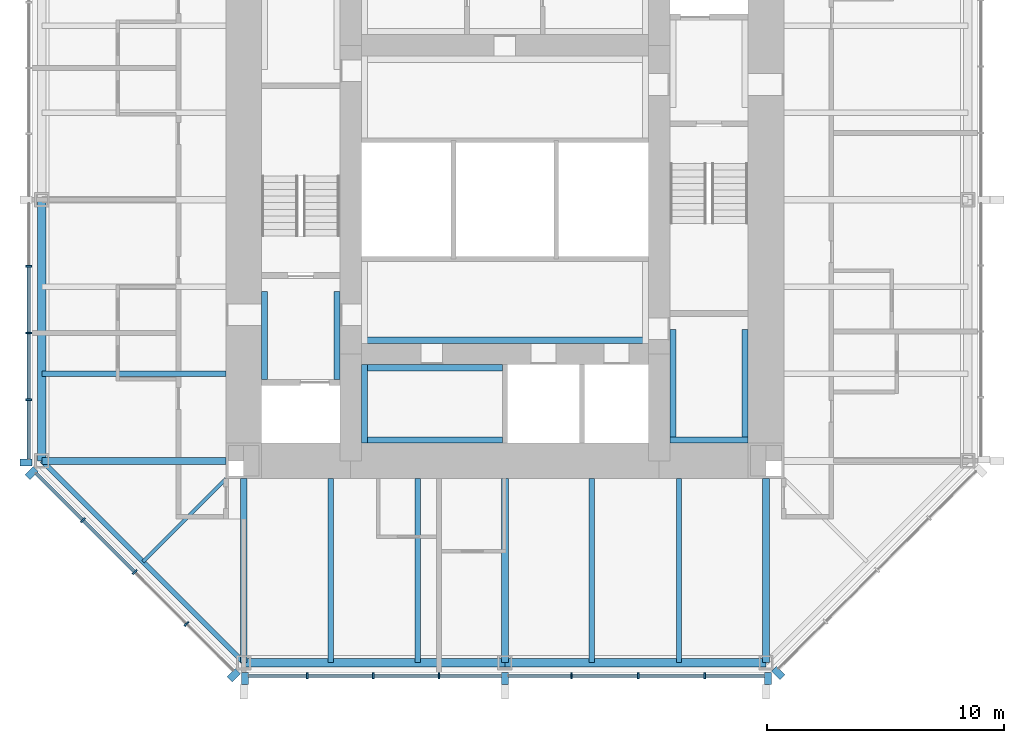
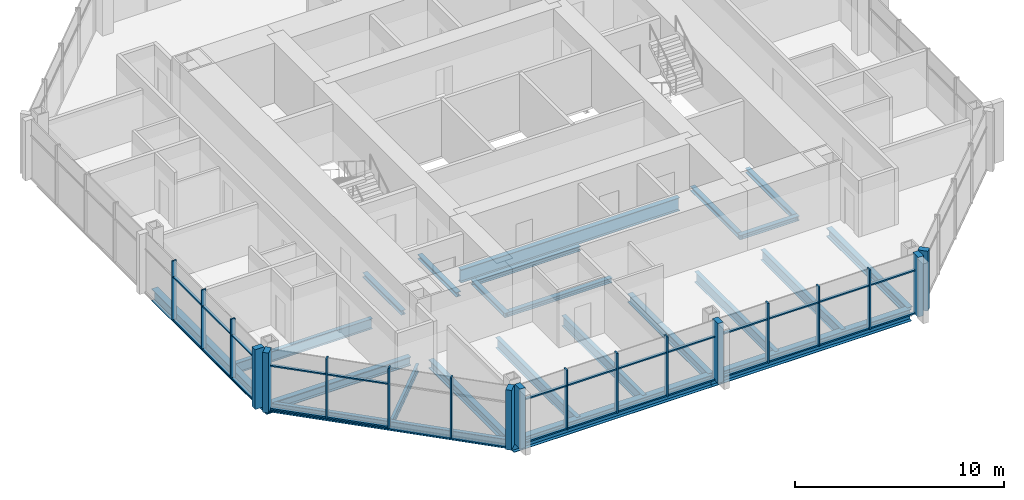
# One storey, part 2 of 11: 45 members, 23 beams, 4 elements without a shape of their own.
"""IFC4 building model written with IfcOpenShell, lengths in metres."""

from ifc_helpers import new_model, si_unit, direction, frame, origin, origin_2d, place, context, subcontext, project, spatial, rectangle, i_section, extrude, material, material_profile, profile_set, type_object, element, aggregate, save


model = new_model("IFC4")

# Units and contexts
model_context = context("Model", 3, precision=1e-05, world=origin(), true_north=direction((0.0, 1.0)))
body_context = subcontext(model_context, "Body", "Model", "MODEL_VIEW")
ifc_project = project(units=[si_unit("LENGTHUNIT", "METRE"), si_unit("AREAUNIT", "SQUARE_METRE"), si_unit("VOLUMEUNIT", "CUBIC_METRE"), si_unit("PLANEANGLEUNIT", "RADIAN"), si_unit("MASSUNIT", "GRAM", prefix="KILO")], contexts=[model_context])

# Site, building, storey
site_placement = place(None, origin())
site = spatial("IfcSite", under=ifc_project, at=site_placement, CompositionType="ELEMENT")
building_placement = place(site_placement, origin())
building = spatial("IfcBuilding", under=site, at=building_placement, Name="Trevanion Tower", CompositionType="ELEMENT")
storey_placement = place(building_placement, frame((0.0, 0.0, 229.199951171875)))
storey = spatial("IfcBuildingStorey", under=building, at=storey_placement, Name="L55", CompositionType="ELEMENT", Elevation=229.199951171875)

# Beams
ifc_material_1 = material(Name="Steel ASTM A992 Grade 50", Category="steel")
ifc_material_profile_1 = material_profile(ifc_material_1, i_section(OverallWidth=0.228271484375, OverallDepth=0.607177734375, WebThickness=0.01123046875, FlangeThickness=0.017333984375, at=origin_2d()), Name="W24X76")
ifc_profile_set_1 = profile_set([ifc_material_profile_1], Name="Steel ASTM A992 Grade 50")
beam_type_1 = type_object("IfcBeamType", Name="B11 W24X76", PredefinedType="BEAM", material=ifc_profile_set_1)
for number, where, z_axis, x_axis, name in (
    (1, (-11.75, -7.333251953125, -0.493408203125), (-1.0, 0.0, 0.0), (0.0, -1.0, 0.0), "B11 L55"),
    (2, (-7.333251953125, -11.75, -0.493408203125), (0.0, -1.0, 0.0), (1.0, 0.0, 0.0), "B11 L55"),
    (3, (-3.666748046875, -11.75, -0.493408203125), (0.0, -1.0, 0.0), (1.0, 0.0, 0.0), "B11 L55"),
    (4, (3.666748046875, -11.75, -0.493408203125), (0.0, -1.0, 0.0), (1.0, 0.0, 0.0), "B11 L55"),
    (5, (7.333251953125, -11.75, -0.493408203125), (0.0, -1.0, 0.0), (1.0, 0.0, 0.0), "B11 L55"),
):
    element("IfcBeam", number, at=place(storey_placement, frame(where, z_axis=z_axis, x_axis=x_axis)), inside=storey, type_object=beam_type_1, Name=name, PredefinedType="BEAM", context=body_context, shape_type="SweptSolid", body=[
        extrude(i_section(OverallWidth=0.228271484375, OverallDepth=0.607177734375, WebThickness=0.01123046875, FlangeThickness=0.017333984375, at=origin_2d()), origin(), (0.0, 0.0, 1.0), 7.75),
    ])
ifc_material_2 = material(Name="Steel ASTM A992 Grade 50", Category="steel")
ifc_material_profile_2 = material_profile(ifc_material_2, i_section(OverallWidth=0.15234375, OverallDepth=0.449462890625, WebThickness=0.007568359375, FlangeThickness=0.0107421875, at=origin_2d()), Name="W18X35")
ifc_profile_set_2 = profile_set([ifc_material_profile_2], Name="Steel ASTM A992 Grade 50")
beam_type_2 = type_object("IfcBeamType", Name="B12 W18X35", PredefinedType="BEAM", material=ifc_profile_set_2)
beam_1_placement = place(storey_placement, frame((-11.75, -11.75, -0.414794921875), z_axis=(-0.707106781187, -0.707106781187, 0.0), x_axis=(0.707106781187, -0.707106781187, 0.0)))
element("IfcBeam", 6, at=beam_1_placement, inside=storey, type_object=beam_type_2, Name="B12 L55", PredefinedType="BEAM", context=body_context, shape_type="SweptSolid", body=[
    extrude(i_section(OverallWidth=0.15234375, OverallDepth=0.449462890625, WebThickness=0.007568359375, FlangeThickness=0.0107421875, at=origin_2d()), origin(), (0.0, 0.0, 1.0), 4.94970703125),
])

# Curtain wall, members
ifc_material_3 = material(Name="Aluminium and glass", Category="aluminium")
curtain_wall_type = type_object("IfcCurtainWallType", Name="CW3 curtain wall", PredefinedType="USERDEFINED", material=ifc_material_3)
curtain_wall_1_placement = place(storey_placement, origin())
curtain_wall_1 = element("IfcCurtainWall", 7, at=curtain_wall_1_placement, inside=storey, type_object=curtain_wall_type, Name="CW3 L55 4", ObjectType="UNITISED CURTAIN WALL", PredefinedType="USERDEFINED")
ifc_material_4 = material(Name="Aluminium extrusion, anodised bronze", Category="aluminium")
ifc_material_profile_3 = material_profile(ifc_material_4, rectangle(XDim=0.074951171875, YDim=0.25, at=origin_2d()), Name="CW3 mullion")
ifc_profile_set_3 = profile_set([ifc_material_profile_3], Name="Aluminium extrusion, anodised bronze")
member_type_1 = type_object("IfcMemberType", Name="CW3 mullion", PredefinedType="MULLION", material=ifc_profile_set_3)
member_1_placement = place(storey_placement, frame((-20.050048828125, -2.806884765625, -0.18994140625), z_axis=(0.0, 0.0, 1.0), x_axis=(0.0, -1.0, 0.0)))
member_1 = element("IfcMember", 8, at=member_1_placement, type_object=member_type_1, Name="CW3 mullion 6", PredefinedType="MULLION", context=body_context, shape_type="SweptSolid", body=[
    extrude(rectangle(XDim=0.074951171875, YDim=0.25, at=origin_2d()), origin(), (0.0, 0.0, 1.0), 3.5),
])
member_2_placement = place(storey_placement, frame((-20.050048828125, -5.614013671875, -0.18994140625), z_axis=(0.0, 0.0, 1.0), x_axis=(0.0, -1.0, 0.0)))
member_2 = element("IfcMember", 9, at=member_2_placement, type_object=member_type_1, Name="CW3 mullion 7", PredefinedType="MULLION", context=body_context, shape_type="SweptSolid", body=[
    extrude(rectangle(XDim=0.074951171875, YDim=0.25, at=origin_2d()), origin(), (0.0, 0.0, 1.0), 3.5),
])
member_3_placement = place(storey_placement, frame((-20.050048828125, -8.4208984375, -0.18994140625), z_axis=(0.0, 0.0, 1.0), x_axis=(0.0, -1.0, 0.0)))
member_3 = element("IfcMember", 10, at=member_3_placement, type_object=member_type_1, Name="CW3 mullion 8", PredefinedType="MULLION", context=body_context, shape_type="SweptSolid", body=[
    extrude(rectangle(XDim=0.074951171875, YDim=0.25, at=origin_2d()), origin(), (0.0, 0.0, 1.0), 3.5),
])

curtain_wall_2_placement = place(storey_placement, origin())
curtain_wall_2 = element("IfcCurtainWall", 11, at=curtain_wall_2_placement, inside=storey, type_object=curtain_wall_type, Name="CW3 L55 5", ObjectType="UNITISED CURTAIN WALL", PredefinedType="USERDEFINED")
member_4_placement = place(storey_placement, frame((-17.775390625, -13.502197265625, -0.18994140625), z_axis=(0.0, 0.0, 1.0), x_axis=(0.707106781187, -0.707106781187, 0.0)))
member_4 = element("IfcMember", 12, at=member_4_placement, type_object=member_type_1, Name="CW3 mullion 2", PredefinedType="MULLION", context=body_context, shape_type="SweptSolid", body=[
    extrude(rectangle(XDim=0.074951171875, YDim=0.25, at=origin_2d()), origin(), (0.0, 0.0, 1.0), 3.5),
])
member_5_placement = place(storey_placement, frame((-15.593017578125, -15.684814453125, -0.18994140625), z_axis=(0.0, 0.0, 1.0), x_axis=(0.707106781187, -0.707106781187, 0.0)))
member_5 = element("IfcMember", 13, at=member_5_placement, type_object=member_type_1, Name="CW3 mullion 3", PredefinedType="MULLION", context=body_context, shape_type="SweptSolid", body=[
    extrude(rectangle(XDim=0.074951171875, YDim=0.25, at=origin_2d()), origin(), (0.0, 0.0, 1.0), 3.5),
])
member_6_placement = place(storey_placement, frame((-13.410400390625, -17.867431640625, -0.18994140625), z_axis=(0.0, 0.0, 1.0), x_axis=(0.707106781187, -0.707106781187, 0.0)))
member_6 = element("IfcMember", 14, at=member_6_placement, type_object=member_type_1, Name="CW3 mullion 4", PredefinedType="MULLION", context=body_context, shape_type="SweptSolid", body=[
    extrude(rectangle(XDim=0.074951171875, YDim=0.25, at=origin_2d()), origin(), (0.0, 0.0, 1.0), 3.5),
])

curtain_wall_3_placement = place(storey_placement, origin())
curtain_wall_3 = element("IfcCurtainWall", 15, at=curtain_wall_3_placement, inside=storey, type_object=curtain_wall_type, Name="CW3 L55 6", ObjectType="UNITISED CURTAIN WALL", PredefinedType="USERDEFINED")
member_7_placement = place(storey_placement, frame((-8.323486328125, -20.050048828125, -0.18994140625), z_axis=(0.0, 0.0, 1.0), x_axis=(1.0, 0.0, 0.0)))
member_7 = element("IfcMember", 16, at=member_7_placement, type_object=member_type_1, Name="CW3 mullion 2", PredefinedType="MULLION", context=body_context, shape_type="SweptSolid", body=[
    extrude(rectangle(XDim=0.074951171875, YDim=0.25, at=origin_2d()), origin(), (0.0, 0.0, 1.0), 3.5),
])
member_8_placement = place(storey_placement, frame((-5.548828125, -20.050048828125, -0.18994140625), z_axis=(0.0, 0.0, 1.0), x_axis=(1.0, 0.0, 0.0)))
member_8 = element("IfcMember", 17, at=member_8_placement, type_object=member_type_1, Name="CW3 mullion 3", PredefinedType="MULLION", context=body_context, shape_type="SweptSolid", body=[
    extrude(rectangle(XDim=0.074951171875, YDim=0.25, at=origin_2d()), origin(), (0.0, 0.0, 1.0), 3.5),
])
member_9_placement = place(storey_placement, frame((-2.7744140625, -20.050048828125, -0.18994140625), z_axis=(0.0, 0.0, 1.0), x_axis=(1.0, 0.0, 0.0)))
member_9 = element("IfcMember", 18, at=member_9_placement, type_object=member_type_1, Name="CW3 mullion 4", PredefinedType="MULLION", context=body_context, shape_type="SweptSolid", body=[
    extrude(rectangle(XDim=0.074951171875, YDim=0.25, at=origin_2d()), origin(), (0.0, 0.0, 1.0), 3.5),
])
member_10_placement = place(storey_placement, frame((2.806884765625, -20.050048828125, -0.18994140625), z_axis=(0.0, 0.0, 1.0), x_axis=(1.0, 0.0, 0.0)))
member_10 = element("IfcMember", 19, at=member_10_placement, type_object=member_type_1, Name="CW3 mullion 6", PredefinedType="MULLION", context=body_context, shape_type="SweptSolid", body=[
    extrude(rectangle(XDim=0.074951171875, YDim=0.25, at=origin_2d()), origin(), (0.0, 0.0, 1.0), 3.5),
])
member_11_placement = place(storey_placement, frame((5.614013671875, -20.050048828125, -0.18994140625), z_axis=(0.0, 0.0, 1.0), x_axis=(1.0, 0.0, 0.0)))
member_11 = element("IfcMember", 20, at=member_11_placement, type_object=member_type_1, Name="CW3 mullion 7", PredefinedType="MULLION", context=body_context, shape_type="SweptSolid", body=[
    extrude(rectangle(XDim=0.074951171875, YDim=0.25, at=origin_2d()), origin(), (0.0, 0.0, 1.0), 3.5),
])
member_12_placement = place(storey_placement, frame((8.4208984375, -20.050048828125, -0.18994140625), z_axis=(0.0, 0.0, 1.0), x_axis=(1.0, 0.0, 0.0)))
member_12 = element("IfcMember", 21, at=member_12_placement, type_object=member_type_1, Name="CW3 mullion 8", PredefinedType="MULLION", context=body_context, shape_type="SweptSolid", body=[
    extrude(rectangle(XDim=0.074951171875, YDim=0.25, at=origin_2d()), origin(), (0.0, 0.0, 1.0), 3.5),
])

# Member
ifc_material_5 = material(Name="Aluminium extrusion, anodised bronze", Category="aluminium")
ifc_material_profile_4 = material_profile(ifc_material_5, rectangle(XDim=0.300048828125, YDim=0.5, at=origin_2d()), Name="CW3 pier mullion")
ifc_profile_set_4 = profile_set([ifc_material_profile_4], Name="Aluminium extrusion, anodised bronze")
member_type_2 = type_object("IfcMemberType", Name="CW3 pier mullion", PredefinedType="MULLION", material=ifc_profile_set_4)
member_13_placement = place(storey_placement, frame((-20.175048828125, -11.077880859375, -0.18994140625), z_axis=(0.0, 0.0, 1.0), x_axis=(0.0, -1.0, 0.0)))
member_13 = element("IfcMember", 22, at=member_13_placement, type_object=member_type_2, Name="CW3 pier mullion 9", PredefinedType="MULLION", context=body_context, shape_type="SweptSolid", body=[
    extrude(rectangle(XDim=0.300048828125, YDim=0.5, at=origin_2d()), origin(), (0.0, 0.0, 1.0), 3.5),
])

member_14_placement = place(storey_placement, frame((-19.9404296875, -11.51416015625, -0.18994140625), z_axis=(0.0, 0.0, 1.0), x_axis=(0.707106781187, -0.707106781187, 0.0)))
member_14 = element("IfcMember", 23, at=member_14_placement, type_object=member_type_2, Name="CW3 pier mullion 1", PredefinedType="MULLION", context=body_context, shape_type="SweptSolid", body=[
    extrude(rectangle(XDim=0.300048828125, YDim=0.5, at=origin_2d()), origin(), (0.0, 0.0, 1.0), 3.5),
])

member_15_placement = place(storey_placement, frame((-11.42236328125, -20.0322265625, -0.18994140625), z_axis=(0.0, 0.0, 1.0), x_axis=(0.707106781187, -0.707106781187, 0.0)))
member_15 = element("IfcMember", 24, at=member_15_placement, type_object=member_type_2, Name="CW3 pier mullion 5", PredefinedType="MULLION", context=body_context, shape_type="SweptSolid", body=[
    extrude(rectangle(XDim=0.300048828125, YDim=0.5, at=origin_2d()), origin(), (0.0, 0.0, 1.0), 3.5),
])

member_16_placement = place(storey_placement, frame((-10.94775390625, -20.175048828125, -0.18994140625), z_axis=(0.0, 0.0, 1.0), x_axis=(1.0, 0.0, 0.0)))
member_16 = element("IfcMember", 25, at=member_16_placement, type_object=member_type_2, Name="CW3 pier mullion 1", PredefinedType="MULLION", context=body_context, shape_type="SweptSolid", body=[
    extrude(rectangle(XDim=0.300048828125, YDim=0.5, at=origin_2d()), origin(), (0.0, 0.0, 1.0), 3.5),
])

member_17_placement = place(storey_placement, frame((0.0, -20.175048828125, -0.18994140625), z_axis=(0.0, 0.0, 1.0), x_axis=(1.0, 0.0, 0.0)))
member_17 = element("IfcMember", 26, at=member_17_placement, type_object=member_type_2, Name="CW3 pier mullion 5", PredefinedType="MULLION", context=body_context, shape_type="SweptSolid", body=[
    extrude(rectangle(XDim=0.300048828125, YDim=0.5, at=origin_2d()), origin(), (0.0, 0.0, 1.0), 3.5),
])

member_18_placement = place(storey_placement, frame((11.077880859375, -20.175048828125, -0.18994140625), z_axis=(0.0, 0.0, 1.0), x_axis=(1.0, 0.0, 0.0)))
member_18 = element("IfcMember", 27, at=member_18_placement, type_object=member_type_2, Name="CW3 pier mullion 9", PredefinedType="MULLION", context=body_context, shape_type="SweptSolid", body=[
    extrude(rectangle(XDim=0.300048828125, YDim=0.5, at=origin_2d()), origin(), (0.0, 0.0, 1.0), 3.5),
])

# Curtain wall, member
curtain_wall_4_placement = place(storey_placement, origin())
curtain_wall_4 = element("IfcCurtainWall", 28, at=curtain_wall_4_placement, inside=storey, type_object=curtain_wall_type, Name="CW3 L55 7", ObjectType="UNITISED CURTAIN WALL", PredefinedType="USERDEFINED")
member_19_placement = place(storey_placement, frame((11.51416015625, -19.9404296875, -0.18994140625), z_axis=(0.0, 0.0, 1.0), x_axis=(0.707106781187, 0.707106781187, 0.0)))
member_19 = element("IfcMember", 29, at=member_19_placement, type_object=member_type_2, Name="CW3 pier mullion 1", PredefinedType="MULLION", context=body_context, shape_type="SweptSolid", body=[
    extrude(rectangle(XDim=0.300048828125, YDim=0.5, at=origin_2d()), origin(), (0.0, 0.0, 1.0), 3.5),
])
aggregate(curtain_wall_4, [member_19])

# Member
ifc_material_6 = material(Name="Aluminium extrusion, anodised bronze", Category="aluminium")
ifc_material_profile_5 = material_profile(ifc_material_6, rectangle(XDim=0.14990234375, YDim=0.074951171875, at=origin_2d()), Name="CW3 transom")
ifc_profile_set_5 = profile_set([ifc_material_profile_5], Name="Aluminium extrusion, anodised bronze")
member_type_3 = type_object("IfcMemberType", Name="CW3 transom", PredefinedType="USERDEFINED", material=ifc_profile_set_5)
member_20_placement = place(storey_placement, frame((-20.050048828125, -2.844482421875, -0.15234375), z_axis=(0.0, -1.0, 0.0), x_axis=(1.0, 0.0, 0.0)))
member_20 = element("IfcMember", 30, at=member_20_placement, type_object=member_type_3, Name="CW3 transom 6.1", ObjectType="TRANSOM", PredefinedType="USERDEFINED", context=body_context, shape_type="SweptSolid", body=[
    extrude(rectangle(XDim=0.14990234375, YDim=0.074951171875, at=origin_2d()), origin(), (0.0, 0.0, 1.0), 2.73193359375),
])

member_21_placement = place(storey_placement, frame((-20.050048828125, -2.844482421875, 2.360107421875), z_axis=(0.0, -1.0, 0.0), x_axis=(1.0, 0.0, 0.0)))
member_21 = element("IfcMember", 31, at=member_21_placement, type_object=member_type_3, Name="CW3 transom 6.2", ObjectType="TRANSOM", PredefinedType="USERDEFINED", context=body_context, shape_type="SweptSolid", body=[
    extrude(rectangle(XDim=0.14990234375, YDim=0.074951171875, at=origin_2d()), origin(), (0.0, 0.0, 1.0), 2.73193359375),
])

member_22_placement = place(storey_placement, frame((-20.050048828125, -5.6513671875, -0.15234375), z_axis=(0.0, -1.0, 0.0), x_axis=(1.0, 0.0, 0.0)))
member_22 = element("IfcMember", 32, at=member_22_placement, type_object=member_type_3, Name="CW3 transom 7.1", ObjectType="TRANSOM", PredefinedType="USERDEFINED", context=body_context, shape_type="SweptSolid", body=[
    extrude(rectangle(XDim=0.14990234375, YDim=0.074951171875, at=origin_2d()), origin(), (0.0, 0.0, 1.0), 2.73193359375),
])

member_23_placement = place(storey_placement, frame((-20.050048828125, -5.6513671875, 2.360107421875), z_axis=(0.0, -1.0, 0.0), x_axis=(1.0, 0.0, 0.0)))
member_23 = element("IfcMember", 33, at=member_23_placement, type_object=member_type_3, Name="CW3 transom 7.2", ObjectType="TRANSOM", PredefinedType="USERDEFINED", context=body_context, shape_type="SweptSolid", body=[
    extrude(rectangle(XDim=0.14990234375, YDim=0.074951171875, at=origin_2d()), origin(), (0.0, 0.0, 1.0), 2.73193359375),
])

member_24_placement = place(storey_placement, frame((-20.050048828125, -8.45849609375, -0.15234375), z_axis=(0.0, -1.0, 0.0), x_axis=(1.0, 0.0, 0.0)))
member_24 = element("IfcMember", 34, at=member_24_placement, type_object=member_type_3, Name="CW3 transom 8.1", ObjectType="TRANSOM", PredefinedType="USERDEFINED", context=body_context, shape_type="SweptSolid", body=[
    extrude(rectangle(XDim=0.14990234375, YDim=0.074951171875, at=origin_2d()), origin(), (0.0, 0.0, 1.0), 2.46923828125),
])

member_25_placement = place(storey_placement, frame((-20.050048828125, -8.45849609375, 2.360107421875), z_axis=(0.0, -1.0, 0.0), x_axis=(1.0, 0.0, 0.0)))
member_25 = element("IfcMember", 35, at=member_25_placement, type_object=member_type_3, Name="CW3 transom 8.2", ObjectType="TRANSOM", PredefinedType="USERDEFINED", context=body_context, shape_type="SweptSolid", body=[
    extrude(rectangle(XDim=0.14990234375, YDim=0.074951171875, at=origin_2d()), origin(), (0.0, 0.0, 1.0), 2.46923828125),
])

aggregate(curtain_wall_1, [member_1, member_2, member_3, member_13, member_20, member_21, member_22, member_23, member_24, member_25])

member_26_placement = place(storey_placement, frame((-19.745849609375, -11.531982421875, -0.15234375), z_axis=(0.707106781187, -0.707106781187, 0.0), x_axis=(0.707106781187, 0.707106781187, 0.0)))
member_26 = element("IfcMember", 36, at=member_26_placement, type_object=member_type_3, Name="CW3 transom 1.1", ObjectType="TRANSOM", PredefinedType="USERDEFINED", context=body_context, shape_type="SweptSolid", body=[
    extrude(rectangle(XDim=0.14990234375, YDim=0.074951171875, at=origin_2d()), origin(), (0.0, 0.0, 1.0), 2.7490234375),
])

member_27_placement = place(storey_placement, frame((-19.745849609375, -11.531982421875, 2.360107421875), z_axis=(0.707106781187, -0.707106781187, 0.0), x_axis=(0.707106781187, 0.707106781187, 0.0)))
member_27 = element("IfcMember", 37, at=member_27_placement, type_object=member_type_3, Name="CW3 transom 1.2", ObjectType="TRANSOM", PredefinedType="USERDEFINED", context=body_context, shape_type="SweptSolid", body=[
    extrude(rectangle(XDim=0.14990234375, YDim=0.074951171875, at=origin_2d()), origin(), (0.0, 0.0, 1.0), 2.7490234375),
])

member_28_placement = place(storey_placement, frame((-17.7490234375, -13.52880859375, -0.15234375), z_axis=(0.707106781187, -0.707106781187, 0.0), x_axis=(0.707106781187, 0.707106781187, 0.0)))
member_28 = element("IfcMember", 38, at=member_28_placement, type_object=member_type_3, Name="CW3 transom 2.1", ObjectType="TRANSOM", PredefinedType="USERDEFINED", context=body_context, shape_type="SweptSolid", body=[
    extrude(rectangle(XDim=0.14990234375, YDim=0.074951171875, at=origin_2d()), origin(), (0.0, 0.0, 1.0), 3.01171875),
])

member_29_placement = place(storey_placement, frame((-17.7490234375, -13.52880859375, 2.360107421875), z_axis=(0.707106781187, -0.707106781187, 0.0), x_axis=(0.707106781187, 0.707106781187, 0.0)))
member_29 = element("IfcMember", 39, at=member_29_placement, type_object=member_type_3, Name="CW3 transom 2.2", ObjectType="TRANSOM", PredefinedType="USERDEFINED", context=body_context, shape_type="SweptSolid", body=[
    extrude(rectangle(XDim=0.14990234375, YDim=0.074951171875, at=origin_2d()), origin(), (0.0, 0.0, 1.0), 3.01171875),
])

aggregate(curtain_wall_2, [member_14, member_4, member_5, member_6, member_15, member_26, member_27, member_28, member_29])

member_30_placement = place(storey_placement, frame((-10.7978515625, -20.050048828125, -0.15234375), z_axis=(1.0, 0.0, 0.0), x_axis=(0.0, 1.0, 0.0)))
member_30 = element("IfcMember", 40, at=member_30_placement, type_object=member_type_3, Name="CW3 transom 1.1", ObjectType="TRANSOM", PredefinedType="USERDEFINED", context=body_context, shape_type="SweptSolid", body=[
    extrude(rectangle(XDim=0.14990234375, YDim=0.074951171875, at=origin_2d()), origin(), (0.0, 0.0, 1.0), 2.43701171875),
])

member_31_placement = place(storey_placement, frame((-10.7978515625, -20.050048828125, 2.360107421875), z_axis=(1.0, 0.0, 0.0), x_axis=(0.0, 1.0, 0.0)))
member_31 = element("IfcMember", 41, at=member_31_placement, type_object=member_type_3, Name="CW3 transom 1.2", ObjectType="TRANSOM", PredefinedType="USERDEFINED", context=body_context, shape_type="SweptSolid", body=[
    extrude(rectangle(XDim=0.14990234375, YDim=0.074951171875, at=origin_2d()), origin(), (0.0, 0.0, 1.0), 2.43701171875),
])

member_32_placement = place(storey_placement, frame((-8.285888671875, -20.050048828125, -0.15234375), z_axis=(1.0, 0.0, 0.0), x_axis=(0.0, 1.0, 0.0)))
member_32 = element("IfcMember", 42, at=member_32_placement, type_object=member_type_3, Name="CW3 transom 2.1", ObjectType="TRANSOM", PredefinedType="USERDEFINED", context=body_context, shape_type="SweptSolid", body=[
    extrude(rectangle(XDim=0.14990234375, YDim=0.074951171875, at=origin_2d()), origin(), (0.0, 0.0, 1.0), 2.699462890625),
])

member_33_placement = place(storey_placement, frame((-8.285888671875, -20.050048828125, 2.360107421875), z_axis=(1.0, 0.0, 0.0), x_axis=(0.0, 1.0, 0.0)))
member_33 = element("IfcMember", 43, at=member_33_placement, type_object=member_type_3, Name="CW3 transom 2.2", ObjectType="TRANSOM", PredefinedType="USERDEFINED", context=body_context, shape_type="SweptSolid", body=[
    extrude(rectangle(XDim=0.14990234375, YDim=0.074951171875, at=origin_2d()), origin(), (0.0, 0.0, 1.0), 2.699462890625),
])

member_34_placement = place(storey_placement, frame((-5.511474609375, -20.050048828125, -0.15234375), z_axis=(1.0, 0.0, 0.0), x_axis=(0.0, 1.0, 0.0)))
member_34 = element("IfcMember", 44, at=member_34_placement, type_object=member_type_3, Name="CW3 transom 3.1", ObjectType="TRANSOM", PredefinedType="USERDEFINED", context=body_context, shape_type="SweptSolid", body=[
    extrude(rectangle(XDim=0.14990234375, YDim=0.074951171875, at=origin_2d()), origin(), (0.0, 0.0, 1.0), 2.699462890625),
])

member_35_placement = place(storey_placement, frame((-5.511474609375, -20.050048828125, 2.360107421875), z_axis=(1.0, 0.0, 0.0), x_axis=(0.0, 1.0, 0.0)))
member_35 = element("IfcMember", 45, at=member_35_placement, type_object=member_type_3, Name="CW3 transom 3.2", ObjectType="TRANSOM", PredefinedType="USERDEFINED", context=body_context, shape_type="SweptSolid", body=[
    extrude(rectangle(XDim=0.14990234375, YDim=0.074951171875, at=origin_2d()), origin(), (0.0, 0.0, 1.0), 2.699462890625),
])

member_36_placement = place(storey_placement, frame((-2.737060546875, -20.050048828125, -0.15234375), z_axis=(1.0, 0.0, 0.0), x_axis=(0.0, 1.0, 0.0)))
member_36 = element("IfcMember", 46, at=member_36_placement, type_object=member_type_3, Name="CW3 transom 4.1", ObjectType="TRANSOM", PredefinedType="USERDEFINED", context=body_context, shape_type="SweptSolid", body=[
    extrude(rectangle(XDim=0.14990234375, YDim=0.074951171875, at=origin_2d()), origin(), (0.0, 0.0, 1.0), 2.587158203125),
])

member_37_placement = place(storey_placement, frame((-2.737060546875, -20.050048828125, 2.360107421875), z_axis=(1.0, 0.0, 0.0), x_axis=(0.0, 1.0, 0.0)))
member_37 = element("IfcMember", 47, at=member_37_placement, type_object=member_type_3, Name="CW3 transom 4.2", ObjectType="TRANSOM", PredefinedType="USERDEFINED", context=body_context, shape_type="SweptSolid", body=[
    extrude(rectangle(XDim=0.14990234375, YDim=0.074951171875, at=origin_2d()), origin(), (0.0, 0.0, 1.0), 2.587158203125),
])

member_38_placement = place(storey_placement, frame((0.14990234375, -20.050048828125, -0.15234375), z_axis=(1.0, 0.0, 0.0), x_axis=(0.0, 1.0, 0.0)))
member_38 = element("IfcMember", 48, at=member_38_placement, type_object=member_type_3, Name="CW3 transom 5.1", ObjectType="TRANSOM", PredefinedType="USERDEFINED", context=body_context, shape_type="SweptSolid", body=[
    extrude(rectangle(XDim=0.14990234375, YDim=0.074951171875, at=origin_2d()), origin(), (0.0, 0.0, 1.0), 2.619384765625),
])

member_39_placement = place(storey_placement, frame((0.14990234375, -20.050048828125, 2.360107421875), z_axis=(1.0, 0.0, 0.0), x_axis=(0.0, 1.0, 0.0)))
member_39 = element("IfcMember", 49, at=member_39_placement, type_object=member_type_3, Name="CW3 transom 5.2", ObjectType="TRANSOM", PredefinedType="USERDEFINED", context=body_context, shape_type="SweptSolid", body=[
    extrude(rectangle(XDim=0.14990234375, YDim=0.074951171875, at=origin_2d()), origin(), (0.0, 0.0, 1.0), 2.619384765625),
])

member_40_placement = place(storey_placement, frame((2.844482421875, -20.050048828125, -0.15234375), z_axis=(1.0, 0.0, 0.0), x_axis=(0.0, 1.0, 0.0)))
member_40 = element("IfcMember", 50, at=member_40_placement, type_object=member_type_3, Name="CW3 transom 6.1", ObjectType="TRANSOM", PredefinedType="USERDEFINED", context=body_context, shape_type="SweptSolid", body=[
    extrude(rectangle(XDim=0.14990234375, YDim=0.074951171875, at=origin_2d()), origin(), (0.0, 0.0, 1.0), 2.73193359375),
])

member_41_placement = place(storey_placement, frame((2.844482421875, -20.050048828125, 2.360107421875), z_axis=(1.0, 0.0, 0.0), x_axis=(0.0, 1.0, 0.0)))
member_41 = element("IfcMember", 51, at=member_41_placement, type_object=member_type_3, Name="CW3 transom 6.2", ObjectType="TRANSOM", PredefinedType="USERDEFINED", context=body_context, shape_type="SweptSolid", body=[
    extrude(rectangle(XDim=0.14990234375, YDim=0.074951171875, at=origin_2d()), origin(), (0.0, 0.0, 1.0), 2.73193359375),
])

member_42_placement = place(storey_placement, frame((5.6513671875, -20.050048828125, -0.15234375), z_axis=(1.0, 0.0, 0.0), x_axis=(0.0, 1.0, 0.0)))
member_42 = element("IfcMember", 52, at=member_42_placement, type_object=member_type_3, Name="CW3 transom 7.1", ObjectType="TRANSOM", PredefinedType="USERDEFINED", context=body_context, shape_type="SweptSolid", body=[
    extrude(rectangle(XDim=0.14990234375, YDim=0.074951171875, at=origin_2d()), origin(), (0.0, 0.0, 1.0), 2.73193359375),
])

member_43_placement = place(storey_placement, frame((5.6513671875, -20.050048828125, 2.360107421875), z_axis=(1.0, 0.0, 0.0), x_axis=(0.0, 1.0, 0.0)))
member_43 = element("IfcMember", 53, at=member_43_placement, type_object=member_type_3, Name="CW3 transom 7.2", ObjectType="TRANSOM", PredefinedType="USERDEFINED", context=body_context, shape_type="SweptSolid", body=[
    extrude(rectangle(XDim=0.14990234375, YDim=0.074951171875, at=origin_2d()), origin(), (0.0, 0.0, 1.0), 2.73193359375),
])

member_44_placement = place(storey_placement, frame((8.45849609375, -20.050048828125, -0.15234375), z_axis=(1.0, 0.0, 0.0), x_axis=(0.0, 1.0, 0.0)))
member_44 = element("IfcMember", 54, at=member_44_placement, type_object=member_type_3, Name="CW3 transom 8.1", ObjectType="TRANSOM", PredefinedType="USERDEFINED", context=body_context, shape_type="SweptSolid", body=[
    extrude(rectangle(XDim=0.14990234375, YDim=0.074951171875, at=origin_2d()), origin(), (0.0, 0.0, 1.0), 2.46923828125),
])

member_45_placement = place(storey_placement, frame((8.45849609375, -20.050048828125, 2.360107421875), z_axis=(1.0, 0.0, 0.0), x_axis=(0.0, 1.0, 0.0)))
member_45 = element("IfcMember", 55, at=member_45_placement, type_object=member_type_3, Name="CW3 transom 8.2", ObjectType="TRANSOM", PredefinedType="USERDEFINED", context=body_context, shape_type="SweptSolid", body=[
    extrude(rectangle(XDim=0.14990234375, YDim=0.074951171875, at=origin_2d()), origin(), (0.0, 0.0, 1.0), 2.46923828125),
])

aggregate(curtain_wall_3, [member_16, member_7, member_8, member_9, member_17, member_10, member_11, member_12, member_18, member_30, member_31, member_32, member_33, member_34, member_35, member_36, member_37, member_38, member_39, member_40, member_41, member_42, member_43, member_44, member_45])

# Beams
ifc_material_7 = material(Name="Steel ASTM A992 Grade 50", Category="steel")
ifc_material_profile_6 = material_profile(ifc_material_7, i_section(OverallWidth=0.28955078125, OverallDepth=0.508056640625, WebThickness=0.022705078125, FlangeThickness=0.040283203125, at=origin_2d()), Name="W18X175")
ifc_profile_set_6 = profile_set([ifc_material_profile_6], Name="Steel ASTM A992 Grade 50")
beam_type_3 = type_object("IfcBeamType", Name="G6 W18X175", PredefinedType="BEAM", material=ifc_profile_set_6)
for number, where, z_axis, x_axis, name in (
    (56, (-11.75, -11.0, -0.44384765625), (-1.0, 0.0, 0.0), (0.0, -1.0, 0.0), "G6 L55"),
    (57, (-11.0, -11.75, -0.44384765625), (0.0, -1.0, 0.0), (1.0, 0.0, 0.0), "G6 L55"),
    (58, (0.0, -11.75, -0.44384765625), (0.0, -1.0, 0.0), (1.0, 0.0, 0.0), "G6 L55"),
    (59, (11.0, -11.75, -0.44384765625), (0.0, -1.0, 0.0), (1.0, 0.0, 0.0), "G6 L55"),
):
    element("IfcBeam", number, at=place(storey_placement, frame(where, z_axis=z_axis, x_axis=x_axis)), inside=storey, type_object=beam_type_3, Name=name, PredefinedType="BEAM", context=body_context, shape_type="SweptSolid", body=[
        extrude(i_section(OverallWidth=0.28955078125, OverallDepth=0.508056640625, WebThickness=0.022705078125, FlangeThickness=0.040283203125, at=origin_2d()), origin(), (0.0, 0.0, 1.0), 7.75),
    ])
ifc_material_8 = material(Name="Steel ASTM A992 Grade 50", Category="steel")
ifc_material_profile_7 = material_profile(ifc_material_8, i_section(OverallWidth=0.256591796875, OverallDepth=0.26416015625, WebThickness=0.011962890625, FlangeThickness=0.01953125, at=origin_2d()), Name="W10X68")
ifc_profile_set_7 = profile_set([ifc_material_profile_7], Name="Steel ASTM A992 Grade 50")
beam_type_4 = type_object("IfcBeamType", Name="LB1 W10X68", PredefinedType="BEAM", material=ifc_profile_set_7)
for number, where, z_axis, x_axis, name in (
    (60, (-10.12158203125, -7.574951171875, -0.33203125), (0.0, 1.0, 0.0), (-1.0, 0.0, 0.0), "LB1 L55"),
    (61, (-7.078369140625, -7.574951171875, -0.33203125), (0.0, 1.0, 0.0), (-1.0, 0.0, 0.0), "LB1 L55"),
):
    element("IfcBeam", number, at=place(storey_placement, frame(where, z_axis=z_axis, x_axis=x_axis)), inside=storey, type_object=beam_type_4, Name=name, PredefinedType="BEAM", context=body_context, shape_type="SweptSolid", body=[
        extrude(i_section(OverallWidth=0.256591796875, OverallDepth=0.26416015625, WebThickness=0.011962890625, FlangeThickness=0.01953125, at=origin_2d()), origin(), (0.0, 0.0, 1.0), 3.699951171875),
    ])
for number, where, z_axis, x_axis, name in (
    (62, (7.078369140625, -10.25, -0.33203125), (0.0, 1.0, 0.0), (-1.0, 0.0, 0.0), "LB1 L55"),
    (63, (10.12158203125, -10.25, -0.33203125), (0.0, 1.0, 0.0), (-1.0, 0.0, 0.0), "LB1 L55"),
):
    element("IfcBeam", number, at=place(storey_placement, frame(where, z_axis=z_axis, x_axis=x_axis)), inside=storey, type_object=beam_type_4, Name=name, PredefinedType="BEAM", context=body_context, shape_type="SweptSolid", body=[
        extrude(i_section(OverallWidth=0.256591796875, OverallDepth=0.26416015625, WebThickness=0.011962890625, FlangeThickness=0.01953125, at=origin_2d()), origin(), (0.0, 0.0, 1.0), 4.77490234375),
    ])
for number, where, z_axis, x_axis, name in (
    (64, (6.949951171875, -10.12158203125, -0.33203125), (1.0, 0.0, 0.0), (0.0, 1.0, 0.0), "LB1 L55"),
    (65, (-5.921630859375, -10.25, -0.33203125), (0.0, 1.0, 0.0), (-1.0, 0.0, 0.0), "LB1 L55"),
):
    element("IfcBeam", number, at=place(storey_placement, frame(where, z_axis=z_axis, x_axis=x_axis)), inside=storey, type_object=beam_type_4, Name=name, PredefinedType="BEAM", context=body_context, shape_type="SweptSolid", body=[
        extrude(i_section(OverallWidth=0.256591796875, OverallDepth=0.26416015625, WebThickness=0.011962890625, FlangeThickness=0.01953125, at=origin_2d()), origin(), (0.0, 0.0, 1.0), 3.300048828125),
    ])
for number, where, z_axis, x_axis, name in (
    (66, (-6.050048828125, -10.12158203125, -0.33203125), (1.0, 0.0, 0.0), (0.0, 1.0, 0.0), "LB1 L55"),
    (67, (-6.050048828125, -7.078369140625, -0.33203125), (1.0, 0.0, 0.0), (0.0, 1.0, 0.0), "LB1 L55"),
):
    element("IfcBeam", number, at=place(storey_placement, frame(where, z_axis=z_axis, x_axis=x_axis)), inside=storey, type_object=beam_type_4, Name=name, PredefinedType="BEAM", context=body_context, shape_type="SweptSolid", body=[
        extrude(i_section(OverallWidth=0.256591796875, OverallDepth=0.26416015625, WebThickness=0.011962890625, FlangeThickness=0.01953125, at=origin_2d()), origin(), (0.0, 0.0, 1.0), 5.949951171875),
    ])
ifc_material_9 = material(Name="Steel ASTM A992 Grade 50", Category="steel")
ifc_material_profile_8 = material_profile(ifc_material_9, i_section(OverallWidth=0.2666015625, OverallDepth=0.76953125, WebThickness=0.015625, FlangeThickness=0.025390625, at=origin_2d()), Name="W30X132")
ifc_profile_set_8 = profile_set([ifc_material_profile_8], Name="Steel ASTM A992 Grade 50")
beam_type_5 = type_object("IfcBeamType", Name="LB3 W30X132", PredefinedType="BEAM", material=ifc_profile_set_8)
beam_2_placement = place(storey_placement, frame((-6.050048828125, -5.91650390625, -0.584716796875), z_axis=(1.0, 0.0, 0.0), x_axis=(0.0, 1.0, 0.0)))
element("IfcBeam", 68, at=beam_2_placement, inside=storey, type_object=beam_type_5, Name="LB3 L55", PredefinedType="BEAM", context=body_context, shape_type="SweptSolid", body=[
    extrude(i_section(OverallWidth=0.2666015625, OverallDepth=0.76953125, WebThickness=0.015625, FlangeThickness=0.025390625, at=origin_2d()), origin(), (0.0, 0.0, 1.0), 12.10009765625),
])
ifc_material_10 = material(Name="Steel ASTM A992 Grade 50", Category="steel")
ifc_material_profile_9 = material_profile(ifc_material_10, i_section(OverallWidth=0.355712890625, OverallDepth=0.696044921875, WebThickness=0.015380859375, FlangeThickness=0.024658203125, at=origin_2d()), Name="W27X146")
ifc_profile_set_9 = profile_set([ifc_material_profile_9], Name="Steel ASTM A992 Grade 50")
beam_type_6 = type_object("IfcBeamType", Name="SB8 W27X146", PredefinedType="SPANDREL", material=ifc_profile_set_9)
for number, where, z_axis, x_axis, name in (
    (69, (-19.5, 0.0, -0.537841796875), (0.0, -1.0, 0.0), (1.0, 0.0, 0.0), "SB8 L55"),
    (70, (-11.0, -19.5, -0.537841796875), (1.0, 0.0, 0.0), (0.0, 1.0, 0.0), "SB8 L55"),
    (71, (0.0, -19.5, -0.537841796875), (1.0, 0.0, 0.0), (0.0, 1.0, 0.0), "SB8 L55"),
):
    element("IfcBeam", number, at=place(storey_placement, frame(where, z_axis=z_axis, x_axis=x_axis)), inside=storey, type_object=beam_type_6, Name=name, PredefinedType="SPANDREL", context=body_context, shape_type="SweptSolid", body=[
        extrude(i_section(OverallWidth=0.355712890625, OverallDepth=0.696044921875, WebThickness=0.015380859375, FlangeThickness=0.024658203125, at=origin_2d()), origin(), (0.0, 0.0, 1.0), 11.0),
    ])
ifc_material_11 = material(Name="Steel ASTM A992 Grade 50", Category="steel")
ifc_material_profile_10 = material_profile(ifc_material_11, i_section(OverallWidth=0.209228515625, OverallDepth=0.533447265625, WebThickness=0.01025390625, FlangeThickness=0.015625, at=origin_2d()), Name="W21X62")
ifc_profile_set_10 = profile_set([ifc_material_profile_10], Name="Steel ASTM A992 Grade 50")
beam_type_7 = type_object("IfcBeamType", Name="SB9 W21X62", PredefinedType="SPANDREL", material=ifc_profile_set_10)
beam_3_placement = place(storey_placement, frame((-19.5, -11.0, -0.45654296875), z_axis=(0.707106781187, -0.707106781187, 0.0), x_axis=(0.707106781187, 0.707106781187, 0.0)))
element("IfcBeam", 72, at=beam_3_placement, inside=storey, type_object=beam_type_7, Name="SB9 L55", PredefinedType="SPANDREL", context=body_context, shape_type="SweptSolid", body=[
    extrude(i_section(OverallWidth=0.209228515625, OverallDepth=0.533447265625, WebThickness=0.01025390625, FlangeThickness=0.015625, at=origin_2d()), origin(), (0.0, 0.0, 1.0), 12.020751953125),
])

save(model, "model.ifc")
